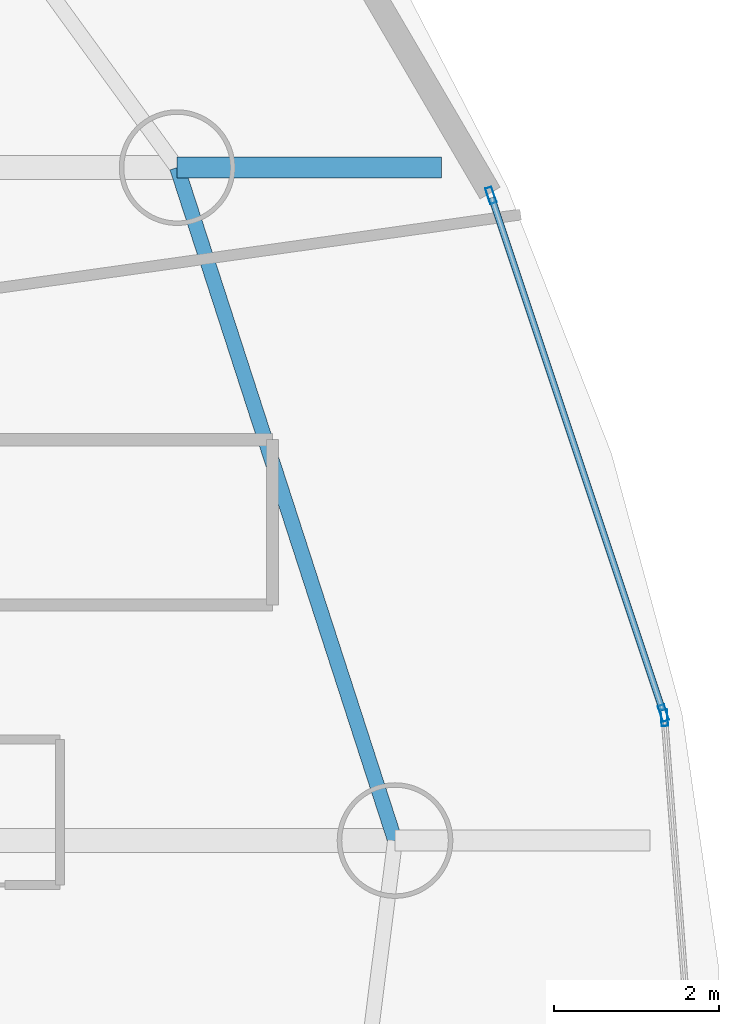
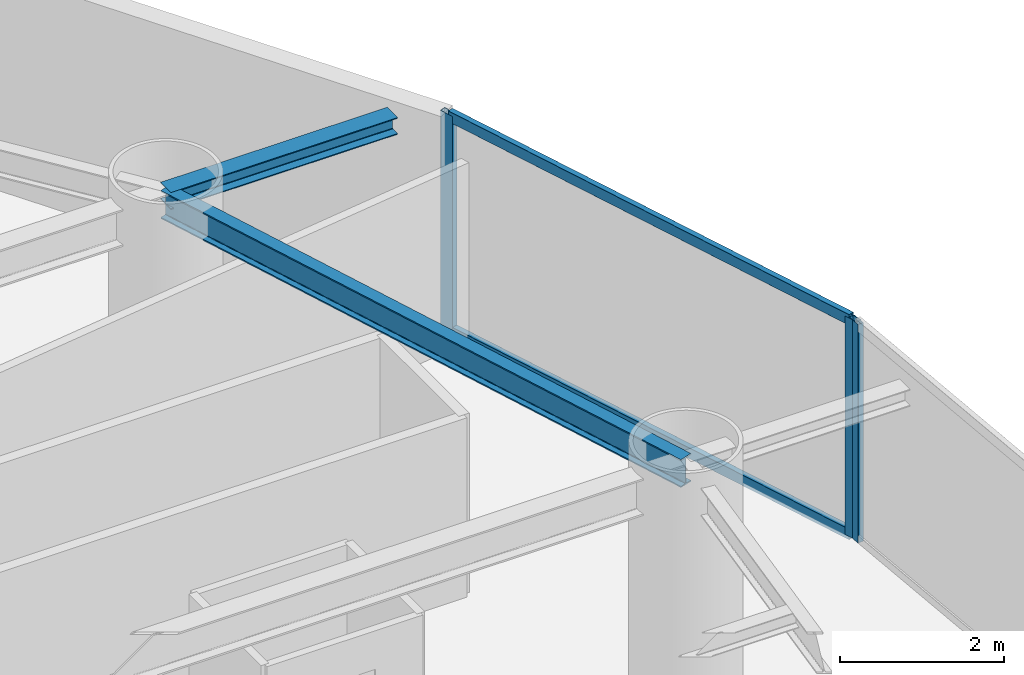
# One storey, part 12 of 22: 5 members, 2 beams, 2 elements without a shape of their own.
"""IFC4 building model written with IfcOpenShell, lengths in metres."""

import ifcopenshell
import ifcopenshell.guid

model = None  # the IFC model being written
_history = None  # IfcOwnerHistory: only IFC2X3 demands one
_inside = {}  # id of a spatial element -> (the spatial element, [elements in it])
_under = {}  # id of a project, library or spatial element -> (it, [spatial elements below it])
_declared = {}  # id of a project -> (the project, [libraries it declares])
_typed = {}  # id of a type object -> (the type object, [elements of that type])
_made_of = {}  # id of a material, layer set ... -> (it, [elements and type objects made of it])


def new_model(schema):
    """Start an empty IFC model of exactly this schema.

    Asked for "IFC4X3", IfcOpenShell would pick the latest addendum, in which some entities
    have other attributes; the version numbers below select the first issue.
    IFC2X3 requires an IfcOwnerHistory on every rooted entity: one is made here for all.
    """
    global model, _history
    if schema == "IFC4X3":
        model = ifcopenshell.file(schema_version=(4, 3, 0, 0))
    else:
        model = ifcopenshell.file(schema=schema)
    _inside.clear()
    _under.clear()
    _declared.clear()
    _typed.clear()
    _made_of.clear()
    _history = None
    if model.schema == "IFC2X3":
        org = make("IfcOrganization", Name="unknown")
        user = make(
            "IfcPersonAndOrganization",
            ThePerson=make("IfcPerson", FamilyName="unknown"),
            TheOrganization=org,
        )
        app = make(
            "IfcApplication",
            ApplicationDeveloper=org,
            Version="unknown",
            ApplicationFullName="unknown",
            ApplicationIdentifier="unknown",
        )
        _history = make(
            "IfcOwnerHistory",
            OwningUser=user,
            OwningApplication=app,
            ChangeAction="ADDED",
            CreationDate=0,
        )
    return model


def make(cls, **values):
    """One entity of the class cls with the attributes given. An attribute that is None is left unset."""
    return model.create_entity(
        cls, **{name: value for name, value in values.items() if value is not None}
    )


def rooted(cls, **values):
    """An entity with a GlobalId (a new one), such as an element, a storey or a relation."""
    return make(cls, GlobalId=ifcopenshell.guid.new(), OwnerHistory=_history, **values)


def si_unit(unit_type, name, prefix=None):
    """IfcSIUnit, for example si_unit("LENGTHUNIT", "METRE", prefix="MILLI")."""
    return make("IfcSIUnit", UnitType=unit_type, Prefix=prefix, Name=name)


def assignment(units):
    """IfcUnitAssignment: the units of a project."""
    return None if units is None else make("IfcUnitAssignment", Units=units)


def point(xyz):
    """IfcCartesianPoint."""
    return None if xyz is None else make("IfcCartesianPoint", Coordinates=xyz)


def direction(xyz):
    """IfcDirection."""
    return None if xyz is None else make("IfcDirection", DirectionRatios=xyz)


def frame(location, z_axis=None, x_axis=None):
    """IfcAxis2Placement3D, a coordinate frame: its origin and axes. An axis left out is left unset."""
    return make(
        "IfcAxis2Placement3D",
        Location=point(location),
        Axis=direction(z_axis),
        RefDirection=direction(x_axis),
    )


def frame_2d(location, x_axis=None):
    """IfcAxis2Placement2D, a coordinate frame in the plane: its origin and x axis."""
    return make(
        "IfcAxis2Placement2D", Location=point(location), RefDirection=direction(x_axis)
    )


def origin():
    """The frame at (0, 0, 0) with its axes left unset."""
    return frame((0.0, 0.0, 0.0))


def origin_2d():
    """The frame at (0, 0) in the plane with its x axis left unset."""
    return frame_2d((0.0, 0.0))


def place(relative_to, where):
    """IfcLocalPlacement: puts the frame where relative to a parent placement (None: the world)."""
    return make(
        "IfcLocalPlacement", PlacementRelTo=relative_to, RelativePlacement=where
    )


def context(
    kind, dimensions, precision=None, world=None, true_north=None, identifier=None
):
    """IfcGeometricRepresentationContext, for example the 3D "Model" context."""
    return make(
        "IfcGeometricRepresentationContext",
        ContextIdentifier=identifier,
        ContextType=kind,
        CoordinateSpaceDimension=dimensions,
        Precision=precision,
        WorldCoordinateSystem=world,
        TrueNorth=true_north,
    )


def subcontext(parent, identifier, kind, view, scale=None):
    """IfcGeometricRepresentationSubContext, for example "Body" below "Model"."""
    return make(
        "IfcGeometricRepresentationSubContext",
        ContextIdentifier=identifier,
        ContextType=kind,
        ParentContext=parent,
        TargetScale=scale,
        TargetView=view,
    )


def project(units=None, contexts=None):
    """IfcProject with its units and contexts."""
    return rooted(
        "IfcProject",
        Name="project",
        RepresentationContexts=contexts,
        UnitsInContext=assignment(units),
    )


def spatial(cls, under=None, at=None, **own):
    """A site, building, storey or space (cls), placed at a placement, below another one or the project."""
    s = rooted(cls, ObjectPlacement=at, **own)
    if under is not None:
        _under.setdefault(under.id(), (under, []))[1].append(s)
    return s


def profile(cls, at=None, kind="AREA", **sizes):
    """A parametric profile (cls). Its sizes go by their IFC names, for example OverallWidth=200.0."""
    return make(cls, ProfileType=kind, Position=at, **sizes)


def hollow_rectangle(**sizes):
    """IfcRectangleHollowProfileDef."""
    return profile("IfcRectangleHollowProfileDef", **sizes)


def i_section(**sizes):
    """IfcIShapeProfileDef."""
    return profile("IfcIShapeProfileDef", **sizes)


def extrude(swept, where, along, depth):
    """IfcExtrudedAreaSolid: the profile swept, set in the frame where, extruded along a direction by depth."""
    return make(
        "IfcExtrudedAreaSolid",
        SweptArea=swept,
        Position=where,
        ExtrudedDirection=direction(along),
        Depth=depth,
    )


def shape(context_of_items, identifier, shape_type, items):
    """IfcShapeRepresentation: the items that make up one representation, for example the "Body"."""
    return make(
        "IfcShapeRepresentation",
        ContextOfItems=context_of_items,
        RepresentationIdentifier=identifier,
        RepresentationType=shape_type,
        Items=items,
    )


def material(Name=None, Category=None):
    """IfcMaterial."""
    return make("IfcMaterial", Name=Name, Category=Category)


def layer(
    of_material, thickness, ventilated=None, Name=None, Category=None, Priority=None
):
    """IfcMaterialLayer: one layer of a wall or slab, of a material (None: an air gap)."""
    return make(
        "IfcMaterialLayer",
        Material=of_material,
        LayerThickness=thickness,
        IsVentilated=ventilated,
        Name=Name,
        Category=Category,
        Priority=Priority,
    )


def layer_set(layers, Name=None):
    """IfcMaterialLayerSet."""
    return make("IfcMaterialLayerSet", MaterialLayers=layers, LayerSetName=Name)


def material_profile(
    of_material, cross_section, Name=None, Category=None, Priority=None
):
    """IfcMaterialProfile: a cross section and its material."""
    return make(
        "IfcMaterialProfile",
        Name=Name,
        Material=of_material,
        Profile=cross_section,
        Priority=Priority,
        Category=Category,
    )


def profile_set(profiles, Name=None, composite=None):
    """IfcMaterialProfileSet."""
    return make(
        "IfcMaterialProfileSet",
        Name=Name,
        MaterialProfiles=profiles,
        CompositeProfile=composite,
    )


def made_of(thing, what):
    """Note that an element or type object is made of a material, layer set ...; save() writes the relation."""
    if what is not None:
        _made_of.setdefault(what.id(), (what, []))[1].append(thing)
    return thing


def type_object(cls, material=None, **own):
    """A type object (cls), such as IfcWallType, which elements share."""
    return made_of(rooted(cls, **own), material)


def element(
    cls,
    number,
    at=None,
    inside=None,
    cuts=None,
    type_object=None,
    material=None,
    context=None,
    identifier="Body",
    shape_type=None,
    held_by="IfcProductDefinitionShape",
    body=None,
    shapes=None,
    **own,
):
    """One element of the class cls, such as IfcWall. Its Tag is "e" and its number.

    at: its placement. inside: the storey or other place that contains it. cuts: it is an
    opening in that element (IfcRelVoidsElement). A single representation is given by context,
    identifier, shape_type and body (its items); several are given by shapes. held_by: the class
    of the entity that holds the representations. save() writes the other relations.
    """
    e = rooted(cls, Tag="e%d" % number, ObjectPlacement=at, **own)
    if body is not None:
        shapes = [shape(context, identifier, shape_type, body)]
    if shapes is not None:
        e.Representation = make(held_by, Representations=shapes)
    if inside is not None:
        _inside.setdefault(inside.id(), (inside, []))[1].append(e)
    if cuts is not None:
        rooted(
            "IfcRelVoidsElement", RelatingBuildingElement=cuts, RelatedOpeningElement=e
        )
    if type_object is not None:
        _typed.setdefault(type_object.id(), (type_object, []))[1].append(e)
    return made_of(e, material)


def aggregate(whole, parts):
    """IfcRelAggregates: a whole, such as a stair, and the parts it consists of."""
    return rooted("IfcRelAggregates", RelatingObject=whole, RelatedObjects=parts)


def save(model, path):
    """Write the relations noted so far, then the file.

    IfcRelAggregates (storeys below a building ...), IfcRelContainedInSpatialStructure (elements
    in a storey), IfcRelDefinesByType, IfcRelAssociatesMaterial and IfcRelDeclares: one each for
    every whole, place, type object, material and project.
    """
    for whole, parts in _under.values():
        aggregate(whole, parts)
    for where, things in _inside.values():
        rooted(
            "IfcRelContainedInSpatialStructure",
            RelatedElements=things,
            RelatingStructure=where,
        )
    for kind, things in _typed.values():
        rooted("IfcRelDefinesByType", RelatedObjects=things, RelatingType=kind)
    for what, things in _made_of.values():
        rooted("IfcRelAssociatesMaterial", RelatedObjects=things, RelatingMaterial=what)
    for by, libraries in _declared.values():
        rooted("IfcRelDeclares", RelatingContext=by, RelatedDefinitions=libraries)
    model.write(path)


model = new_model("IFC4")

# Units and contexts
model_context = context("Model", 3, precision=1e-05, world=origin(), true_north=direction((0.0, 1.0)))
body_context = subcontext(model_context, "Body", "Model", "MODEL_VIEW")
ifc_project = project(units=[si_unit("LENGTHUNIT", "METRE"), si_unit("AREAUNIT", "SQUARE_METRE"), si_unit("VOLUMEUNIT", "CUBIC_METRE"), si_unit("PLANEANGLEUNIT", "RADIAN"), si_unit("MASSUNIT", "GRAM", prefix="KILO")], contexts=[model_context])

# Site, building, storey
site_placement = place(None, origin())
site = spatial("IfcSite", under=ifc_project, at=site_placement, CompositionType="ELEMENT")
building_placement = place(site_placement, origin())
building = spatial("IfcBuilding", under=site, at=building_placement, Name="Bramvorn Convention Spire", CompositionType="ELEMENT")
storey_placement = place(building_placement, frame((0.0, 0.0, 134.300048828125)))
storey = spatial("IfcBuildingStorey", under=building, at=storey_placement, Name="L33", CompositionType="ELEMENT", Elevation=134.300048828125)

# Beams
ifc_material_1 = material(Name="Steel CSA G40.21 Grade 350 (350W)", Category="steel")
ifc_material_profile_1 = material_profile(ifc_material_1, i_section(OverallWidth=0.25390625, OverallDepth=0.2529296875, WebThickness=0.008544921875, FlangeThickness=0.01416015625, FilletRadius=0.011962890625, at=origin_2d()))
ifc_profile_set_1 = profile_set([ifc_material_profile_1], Name="Steel CSA G40.21 Grade 350 (350W) - W250X73")
beam_type_1 = type_object("IfcBeamType", Name="BM-W250X73", PredefinedType="BEAM", material=ifc_profile_set_1)
beam_1_placement = place(storey_placement, frame((60.345703125, 30.293212890625, 3.133544921875), z_axis=(1.0, 0.0, 0.0), x_axis=(0.0, 1.0, 0.0)))
element("IfcBeam", 1, at=beam_1_placement, inside=storey, type_object=beam_type_1, Name="L33 slab-edge cantilever tip beam MC03", PredefinedType="BEAM", context=body_context, shape_type="SweptSolid", body=[
    extrude(i_section(OverallWidth=0.25390625, OverallDepth=0.2529296875, WebThickness=0.008544921875, FlangeThickness=0.01416015625, FilletRadius=0.011962890625, at=origin_2d()), origin(), (0.0, 0.0, 1.0), 3.199951171875),
])
ifc_material_profile_2 = material_profile(ifc_material_1, i_section(OverallWidth=0.180908203125, OverallDepth=0.4169921875, WebThickness=0.010986328125, FlangeThickness=0.018310546875, FilletRadius=0.01611328125, at=origin_2d()))
ifc_profile_set_2 = profile_set([ifc_material_profile_2], Name="Steel CSA G40.21 Grade 350 (350W) - W410X85")
beam_type_2 = type_object("IfcBeamType", Name="BM-W410X85", PredefinedType="JOIST", material=ifc_profile_set_2)
beam_2_placement = place(storey_placement, frame((62.983642578125, 22.148193359375, 3.051513671875), z_axis=(-0.308114853612, 0.951349166701, 0.0), x_axis=(-0.951349166701, -0.308114853612, 0.0)))
element("IfcBeam", 2, at=beam_2_placement, inside=storey, type_object=beam_type_2, Name="L33 mega-column ring beam 02", PredefinedType="JOIST", context=body_context, shape_type="SweptSolid", body=[
    extrude(i_section(OverallWidth=0.180908203125, OverallDepth=0.4169921875, WebThickness=0.010986328125, FlangeThickness=0.018310546875, FilletRadius=0.01611328125, at=origin_2d()), origin(), (0.0, 0.0, 1.0), 8.5615234375),
])

# Curtain wall, member
ifc_material_2 = material(Name="Anodised Bronze Unitised Curtain Wall", Category="aluminium")
ifc_layer = layer(ifc_material_2, 0.179931640625)
ifc_layer_set = layer_set([ifc_layer], Name="Anodised Bronze Unitised Curtain Wall - CW-HTL-FRIT")
curtain_wall_type = type_object("IfcCurtainWallType", Name="CW-HTL-FRIT", PredefinedType="USERDEFINED", material=ifc_layer_set)
curtain_wall_1_placement = place(storey_placement, origin())
curtain_wall_1 = element("IfcCurtainWall", 3, at=curtain_wall_1_placement, inside=storey, type_object=curtain_wall_type, Name="L33 fritted glass curtain wall 02", ObjectType="UNITISED CURTAIN WALL", PredefinedType="USERDEFINED")
ifc_material_3 = material(Name="Anodised Bronze Aluminium 6063-T6", Category="aluminium")
ifc_material_profile_3 = material_profile(ifc_material_3, hollow_rectangle(XDim=0.080078125, YDim=0.199951171875, WallThickness=0.00390625, InnerFilletRadius=0.0009765625, OuterFilletRadius=0.00390625, at=origin_2d()))
ifc_profile_set_3 = profile_set([ifc_material_profile_3], Name="Anodised Bronze Aluminium 6063-T6 - CWM80X200")
member_type_1 = type_object("IfcMemberType", Name="CW-MUL-180", PredefinedType="MULLION", material=ifc_profile_set_3)
member_1_placement = place(storey_placement, frame((66.244384765625, 23.633056640625, 0.0), z_axis=(0.0, 0.0, 1.0), x_axis=(0.997063570546, 0.07657830169, 0.0)))
member_1 = element("IfcMember", 4, at=member_1_placement, type_object=member_type_1, Name="CW2 mullion 1", PredefinedType="MULLION", context=body_context, shape_type="SweptSolid", body=[
    extrude(hollow_rectangle(XDim=0.080078125, YDim=0.199951171875, WallThickness=0.00390625, InnerFilletRadius=0.0009765625, OuterFilletRadius=0.00390625, at=origin_2d()), origin(), (0.0, 0.0, 1.0), 3.260009765625),
])
aggregate(curtain_wall_1, [member_1])

# Curtain wall, members
curtain_wall_2_placement = place(storey_placement, origin())
curtain_wall_2 = element("IfcCurtainWall", 5, at=curtain_wall_2_placement, inside=storey, type_object=curtain_wall_type, Name="L33 fritted glass curtain wall 03", ObjectType="UNITISED CURTAIN WALL", PredefinedType="USERDEFINED")
member_2_placement = place(storey_placement, frame((64.1435546875, 29.957275390625, 0.0), z_axis=(0.0, 0.0, 1.0), x_axis=(0.948666792725, 0.316277277688, 0.0)))
member_2 = element("IfcMember", 6, at=member_2_placement, type_object=member_type_1, Name="CW2 mullion 1", PredefinedType="MULLION", context=body_context, shape_type="SweptSolid", body=[
    extrude(hollow_rectangle(XDim=0.080078125, YDim=0.199951171875, WallThickness=0.00390625, InnerFilletRadius=0.0009765625, OuterFilletRadius=0.00390625, at=origin_2d()), origin(), (0.0, 0.0, 1.0), 3.260009765625),
])
member_3_placement = place(storey_placement, frame((66.232666015625, 23.69140625, 0.0), z_axis=(0.0, 0.0, 1.0), x_axis=(0.948666792725, 0.316277277688, 0.0)))
member_3 = element("IfcMember", 7, at=member_3_placement, type_object=member_type_1, Name="CW2 mullion 2", PredefinedType="MULLION", context=body_context, shape_type="SweptSolid", body=[
    extrude(hollow_rectangle(XDim=0.080078125, YDim=0.199951171875, WallThickness=0.00390625, InnerFilletRadius=0.0009765625, OuterFilletRadius=0.00390625, at=origin_2d()), origin(), (0.0, 0.0, 1.0), 3.260009765625),
])
ifc_material_profile_4 = material_profile(ifc_material_3, hollow_rectangle(XDim=0.080078125, YDim=0.159912109375, WallThickness=0.00390625, InnerFilletRadius=0.0009765625, OuterFilletRadius=0.00390625, at=origin_2d()))
ifc_profile_set_4 = profile_set([ifc_material_profile_4], Name="Anodised Bronze Aluminium 6063-T6 - CWT80X160")
member_type_2 = type_object("IfcMemberType", Name="CW-TRN-150", PredefinedType="USERDEFINED", material=ifc_profile_set_4)
member_4_placement = place(storey_placement, frame((64.153076171875, 29.928955078125, 0.030029296875), z_axis=(0.316272526489, -0.94866837672, 0.0), x_axis=(0.94866837672, 0.316272526489, 0.0)))
member_4 = element("IfcMember", 8, at=member_4_placement, type_object=member_type_2, Name="CW2 transom 1.1", ObjectType="TRANSOM", PredefinedType="USERDEFINED", context=body_context, shape_type="SweptSolid", body=[
    extrude(hollow_rectangle(XDim=0.080078125, YDim=0.159912109375, WallThickness=0.00390625, InnerFilletRadius=0.0009765625, OuterFilletRadius=0.00390625, at=origin_2d()), origin(), (0.0, 0.0, 1.0), 6.545166015625),
])
member_5_placement = place(storey_placement, frame((64.153076171875, 29.928955078125, 3.22998046875), z_axis=(0.316272526489, -0.94866837672, 0.0), x_axis=(0.94866837672, 0.316272526489, 0.0)))
member_5 = element("IfcMember", 9, at=member_5_placement, type_object=member_type_2, Name="CW2 transom 1.2", ObjectType="TRANSOM", PredefinedType="USERDEFINED", context=body_context, shape_type="SweptSolid", body=[
    extrude(hollow_rectangle(XDim=0.080078125, YDim=0.159912109375, WallThickness=0.00390625, InnerFilletRadius=0.0009765625, OuterFilletRadius=0.00390625, at=origin_2d()), origin(), (0.0, 0.0, 1.0), 6.545166015625),
])
aggregate(curtain_wall_2, [member_2, member_3, member_4, member_5])

save(model, "model.ifc")
